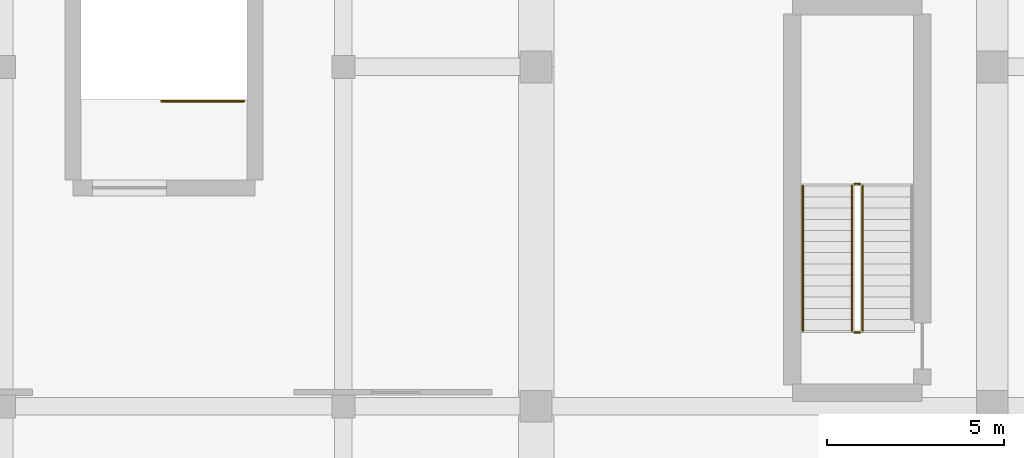
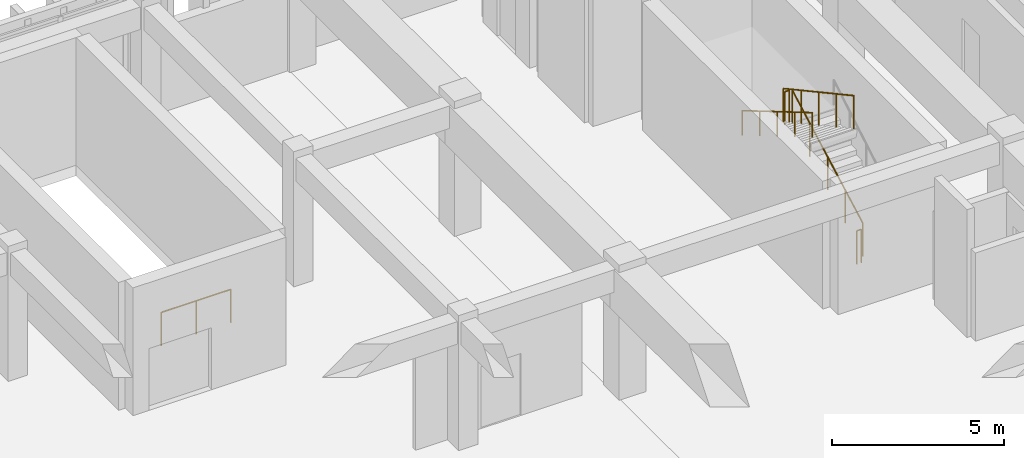
# One storey, part 98 of 101: 6 railings.
"""IFC4 building model written with IfcOpenShell, lengths in metres."""

import ifcopenshell
import ifcopenshell.guid

model = None  # the IFC model being written
_history = None  # IfcOwnerHistory: only IFC2X3 demands one
_inside = {}  # id of a spatial element -> (the spatial element, [elements in it])
_under = {}  # id of a project, library or spatial element -> (it, [spatial elements below it])
_declared = {}  # id of a project -> (the project, [libraries it declares])
_typed = {}  # id of a type object -> (the type object, [elements of that type])
_made_of = {}  # id of a material, layer set ... -> (it, [elements and type objects made of it])


def new_model(schema):
    """Start an empty IFC model of exactly this schema.

    Asked for "IFC4X3", IfcOpenShell would pick the latest addendum, in which some entities
    have other attributes; the version numbers below select the first issue.
    IFC2X3 requires an IfcOwnerHistory on every rooted entity: one is made here for all.
    """
    global model, _history
    if schema == "IFC4X3":
        model = ifcopenshell.file(schema_version=(4, 3, 0, 0))
    else:
        model = ifcopenshell.file(schema=schema)
    _inside.clear()
    _under.clear()
    _declared.clear()
    _typed.clear()
    _made_of.clear()
    _history = None
    if model.schema == "IFC2X3":
        org = make("IfcOrganization", Name="unknown")
        user = make(
            "IfcPersonAndOrganization",
            ThePerson=make("IfcPerson", FamilyName="unknown"),
            TheOrganization=org,
        )
        app = make(
            "IfcApplication",
            ApplicationDeveloper=org,
            Version="unknown",
            ApplicationFullName="unknown",
            ApplicationIdentifier="unknown",
        )
        _history = make(
            "IfcOwnerHistory",
            OwningUser=user,
            OwningApplication=app,
            ChangeAction="ADDED",
            CreationDate=0,
        )
    return model


def make(cls, **values):
    """One entity of the class cls with the attributes given. An attribute that is None is left unset."""
    return model.create_entity(
        cls, **{name: value for name, value in values.items() if value is not None}
    )


def rooted(cls, **values):
    """An entity with a GlobalId (a new one), such as an element, a storey or a relation."""
    return make(cls, GlobalId=ifcopenshell.guid.new(), OwnerHistory=_history, **values)


def si_unit(unit_type, name, prefix=None):
    """IfcSIUnit, for example si_unit("LENGTHUNIT", "METRE", prefix="MILLI")."""
    return make("IfcSIUnit", UnitType=unit_type, Prefix=prefix, Name=name)


def assignment(units):
    """IfcUnitAssignment: the units of a project."""
    return None if units is None else make("IfcUnitAssignment", Units=units)


def point(xyz):
    """IfcCartesianPoint."""
    return None if xyz is None else make("IfcCartesianPoint", Coordinates=xyz)


def direction(xyz):
    """IfcDirection."""
    return None if xyz is None else make("IfcDirection", DirectionRatios=xyz)


def frame(location, z_axis=None, x_axis=None):
    """IfcAxis2Placement3D, a coordinate frame: its origin and axes. An axis left out is left unset."""
    return make(
        "IfcAxis2Placement3D",
        Location=point(location),
        Axis=direction(z_axis),
        RefDirection=direction(x_axis),
    )


def frame_2d(location, x_axis=None):
    """IfcAxis2Placement2D, a coordinate frame in the plane: its origin and x axis."""
    return make(
        "IfcAxis2Placement2D", Location=point(location), RefDirection=direction(x_axis)
    )


def origin():
    """The frame at (0, 0, 0) with its axes left unset."""
    return frame((0.0, 0.0, 0.0))


def origin_2d():
    """The frame at (0, 0) in the plane with its x axis left unset."""
    return frame_2d((0.0, 0.0))


def place(relative_to, where):
    """IfcLocalPlacement: puts the frame where relative to a parent placement (None: the world)."""
    return make(
        "IfcLocalPlacement", PlacementRelTo=relative_to, RelativePlacement=where
    )


def context(
    kind, dimensions, precision=None, world=None, true_north=None, identifier=None
):
    """IfcGeometricRepresentationContext, for example the 3D "Model" context."""
    return make(
        "IfcGeometricRepresentationContext",
        ContextIdentifier=identifier,
        ContextType=kind,
        CoordinateSpaceDimension=dimensions,
        Precision=precision,
        WorldCoordinateSystem=world,
        TrueNorth=true_north,
    )


def subcontext(parent, identifier, kind, view, scale=None):
    """IfcGeometricRepresentationSubContext, for example "Body" below "Model"."""
    return make(
        "IfcGeometricRepresentationSubContext",
        ContextIdentifier=identifier,
        ContextType=kind,
        ParentContext=parent,
        TargetScale=scale,
        TargetView=view,
    )


def project(units=None, contexts=None):
    """IfcProject with its units and contexts."""
    return rooted(
        "IfcProject",
        Name="project",
        RepresentationContexts=contexts,
        UnitsInContext=assignment(units),
    )


def spatial(cls, under=None, at=None, **own):
    """A site, building, storey or space (cls), placed at a placement, below another one or the project."""
    s = rooted(cls, ObjectPlacement=at, **own)
    if under is not None:
        _under.setdefault(under.id(), (under, []))[1].append(s)
    return s


def profile(cls, at=None, kind="AREA", **sizes):
    """A parametric profile (cls). Its sizes go by their IFC names, for example OverallWidth=200.0."""
    return make(cls, ProfileType=kind, Position=at, **sizes)


def circle(**sizes):
    """IfcCircleProfileDef."""
    return profile("IfcCircleProfileDef", **sizes)


def extrude(swept, where, along, depth):
    """IfcExtrudedAreaSolid: the profile swept, set in the frame where, extruded along a direction by depth."""
    return make(
        "IfcExtrudedAreaSolid",
        SweptArea=swept,
        Position=where,
        ExtrudedDirection=direction(along),
        Depth=depth,
    )


def shape(context_of_items, identifier, shape_type, items):
    """IfcShapeRepresentation: the items that make up one representation, for example the "Body"."""
    return make(
        "IfcShapeRepresentation",
        ContextOfItems=context_of_items,
        RepresentationIdentifier=identifier,
        RepresentationType=shape_type,
        Items=items,
    )


def material(Name=None, Category=None):
    """IfcMaterial."""
    return make("IfcMaterial", Name=Name, Category=Category)


def made_of(thing, what):
    """Note that an element or type object is made of a material, layer set ...; save() writes the relation."""
    if what is not None:
        _made_of.setdefault(what.id(), (what, []))[1].append(thing)
    return thing


def type_object(cls, material=None, **own):
    """A type object (cls), such as IfcWallType, which elements share."""
    return made_of(rooted(cls, **own), material)


def element(
    cls,
    number,
    at=None,
    inside=None,
    cuts=None,
    type_object=None,
    material=None,
    context=None,
    identifier="Body",
    shape_type=None,
    held_by="IfcProductDefinitionShape",
    body=None,
    shapes=None,
    **own,
):
    """One element of the class cls, such as IfcWall. Its Tag is "e" and its number.

    at: its placement. inside: the storey or other place that contains it. cuts: it is an
    opening in that element (IfcRelVoidsElement). A single representation is given by context,
    identifier, shape_type and body (its items); several are given by shapes. held_by: the class
    of the entity that holds the representations. save() writes the other relations.
    """
    e = rooted(cls, Tag="e%d" % number, ObjectPlacement=at, **own)
    if body is not None:
        shapes = [shape(context, identifier, shape_type, body)]
    if shapes is not None:
        e.Representation = make(held_by, Representations=shapes)
    if inside is not None:
        _inside.setdefault(inside.id(), (inside, []))[1].append(e)
    if cuts is not None:
        rooted(
            "IfcRelVoidsElement", RelatingBuildingElement=cuts, RelatedOpeningElement=e
        )
    if type_object is not None:
        _typed.setdefault(type_object.id(), (type_object, []))[1].append(e)
    return made_of(e, material)


def aggregate(whole, parts):
    """IfcRelAggregates: a whole, such as a stair, and the parts it consists of."""
    return rooted("IfcRelAggregates", RelatingObject=whole, RelatedObjects=parts)


def save(model, path):
    """Write the relations noted so far, then the file.

    IfcRelAggregates (storeys below a building ...), IfcRelContainedInSpatialStructure (elements
    in a storey), IfcRelDefinesByType, IfcRelAssociatesMaterial and IfcRelDeclares: one each for
    every whole, place, type object, material and project.
    """
    for whole, parts in _under.values():
        aggregate(whole, parts)
    for where, things in _inside.values():
        rooted(
            "IfcRelContainedInSpatialStructure",
            RelatedElements=things,
            RelatingStructure=where,
        )
    for kind, things in _typed.values():
        rooted("IfcRelDefinesByType", RelatedObjects=things, RelatingType=kind)
    for what, things in _made_of.values():
        rooted("IfcRelAssociatesMaterial", RelatedObjects=things, RelatingMaterial=what)
    for by, libraries in _declared.values():
        rooted("IfcRelDeclares", RelatingContext=by, RelatedDefinitions=libraries)
    model.write(path)


model = new_model("IFC4")

# Units and contexts
model_context = context("Model", 3, precision=1e-05, world=origin(), true_north=direction((0.0, 1.0)))
body_context = subcontext(model_context, "Body", "Model", "MODEL_VIEW")
ifc_project = project(units=[si_unit("LENGTHUNIT", "METRE"), si_unit("AREAUNIT", "SQUARE_METRE"), si_unit("VOLUMEUNIT", "CUBIC_METRE"), si_unit("PLANEANGLEUNIT", "RADIAN"), si_unit("MASSUNIT", "GRAM", prefix="KILO")], contexts=[model_context])

# Site, building, storey
site_placement = place(None, origin())
site = spatial("IfcSite", under=ifc_project, at=site_placement, CompositionType="ELEMENT")
building_placement = place(site_placement, origin())
building = spatial("IfcBuilding", under=site, at=building_placement, Name="Nakhvara Creek Congress Hotel", CompositionType="ELEMENT")
storey_placement = place(building_placement, frame((0.0, 0.0, 16.199951171875)))
storey = spatial("IfcBuildingStorey", under=building, at=storey_placement, Name="L03", CompositionType="ELEMENT", Elevation=16.199951171875)

# Railings
ifc_material = material(Name="Brushed stainless steel 316L", Category="steel")
railing_type_1 = type_object("IfcRailingType", Name="RL-GUARD-1200", PredefinedType="GUARDRAIL", material=ifc_material)
railing_1_placement = place(storey_placement, frame((158.68505859375, 78.93994140625, 0.17138671875)))
element("IfcRailing", 1, at=railing_1_placement, inside=storey, type_object=railing_type_1, Name="L03 ST01 stair guard 1", PredefinedType="GUARDRAIL", context=body_context, shape_type="SweptSolid", body=[
    extrude(circle(Radius=0.02392578125, at=origin_2d()), frame((0.0, 0.012939453125, 1.182861328125), z_axis=(0.0, 0.878333477893, 0.478048430196), x_axis=(-1.0, 0.0, 0.0)), (0.0, 0.0, 1.0), 4.6328125),
    extrude(circle(Radius=0.02099609375, at=origin_2d()), origin(), (0.0, 0.0, 1.0), 1.1806640625),
    extrude(circle(Radius=0.02099609375, at=origin_2d()), frame((0.0, 1.023681640625, 0.55712890625)), (0.0, 0.0, 1.0), 1.1806640625),
    extrude(circle(Radius=0.02099609375, at=origin_2d()), frame((0.0, 2.04736328125, 1.1142578125)), (0.0, 0.0, 1.0), 1.1806640625),
    extrude(circle(Radius=0.02099609375, at=origin_2d()), frame((0.0, 3.0712890625, 1.671630859375)), (0.0, 0.0, 1.0), 1.1806640625),
    extrude(circle(Radius=0.02099609375, at=origin_2d()), frame((0.0, 4.094970703125, 2.228759765625)), (0.0, 0.0, 1.0), 1.1806640625),
])
railing_2_placement = place(storey_placement, frame((158.610107421875, 83.0849609375, 2.400146484375)))
element("IfcRailing", 2, at=railing_2_placement, inside=storey, type_object=railing_type_1, Name="L03 ST01 stair guard 2", PredefinedType="GUARDRAIL", context=body_context, shape_type="SweptSolid", body=[
    extrude(circle(Radius=0.02392578125, at=origin_2d()), frame((-0.0146484375, 0.0, 1.17578125), z_axis=(-1.0, 0.0, 0.0), x_axis=(0.0, -1.0, 0.0)), (0.0, 0.0, 1.0), 0.120849609375),
    extrude(circle(Radius=0.02099609375, at=origin_2d()), origin(), (0.0, 0.0, 1.0), 1.1806640625),
    extrude(circle(Radius=0.02099609375, at=origin_2d()), frame((-0.150146484375, 0.0, 0.0)), (0.0, 0.0, 1.0), 1.1806640625),
])
railing_3_placement = place(storey_placement, frame((158.385009765625, 83.034912109375, 2.571533203125)))
element("IfcRailing", 3, at=railing_3_placement, inside=storey, type_object=railing_type_1, Name="L03 ST01 stair guard 3", PredefinedType="GUARDRAIL", context=body_context, shape_type="SweptSolid", body=[
    extrude(circle(Radius=0.02392578125, at=origin_2d()), frame((0.0, -0.012939453125, 1.182861328125), z_axis=(0.0, -0.878355465225, 0.478008029963), x_axis=(1.0, 0.0, 0.0)), (0.0, 0.0, 1.0), 4.6328125),
    extrude(circle(Radius=0.02099609375, at=origin_2d()), origin(), (0.0, 0.0, 1.0), 1.1806640625),
    extrude(circle(Radius=0.02099609375, at=origin_2d()), frame((0.0, -1.023681640625, 0.55712890625)), (0.0, 0.0, 1.0), 1.1806640625),
    extrude(circle(Radius=0.02099609375, at=origin_2d()), frame((0.0, -2.04736328125, 1.1142578125)), (0.0, 0.0, 1.0), 1.1806640625),
    extrude(circle(Radius=0.02099609375, at=origin_2d()), frame((0.0, -3.0712890625, 1.67138671875)), (0.0, 0.0, 1.0), 1.1806640625),
    extrude(circle(Radius=0.02099609375, at=origin_2d()), frame((0.0, -4.094970703125, 2.228515625)), (0.0, 0.0, 1.0), 1.1806640625),
])
railing_4_placement = place(storey_placement, frame((158.610107421875, 78.889892578125, 0.0)))
element("IfcRailing", 4, at=railing_4_placement, inside=storey, type_object=railing_type_1, Name="L03 ST01 stair guard 4", PredefinedType="GUARDRAIL", context=body_context, shape_type="SweptSolid", body=[
    extrude(circle(Radius=0.02392578125, at=origin_2d()), frame((-0.0146484375, 0.0, 1.17578125), z_axis=(-1.0, 0.0, 0.0), x_axis=(0.0, -1.0, 0.0)), (0.0, 0.0, 1.0), 0.120849609375),
    extrude(circle(Radius=0.02099609375, at=origin_2d()), origin(), (0.0, 0.0, 1.0), 1.1806640625),
    extrude(circle(Radius=0.02099609375, at=origin_2d()), frame((-0.150146484375, 0.0, 0.0)), (0.0, 0.0, 1.0), 1.1806640625),
])
railing_5_placement = place(storey_placement, frame((141.18994140625, 85.429931640625, 0.0)))
element("IfcRailing", 5, at=railing_5_placement, inside=storey, type_object=railing_type_1, Name="L03 ST10 top well guard 1", PredefinedType="GUARDRAIL", context=body_context, shape_type="SweptSolid", body=[
    extrude(circle(Radius=0.02392578125, at=origin_2d()), frame((-0.0146484375, 0.0, 1.17578125), z_axis=(-1.0, 0.0, 0.0), x_axis=(0.0, -1.0, 0.0)), (0.0, 0.0, 1.0), 2.310546875),
    extrude(circle(Radius=0.02099609375, at=origin_2d()), origin(), (0.0, 0.0, 1.0), 1.1806640625),
    extrude(circle(Radius=0.02099609375, at=origin_2d()), frame((-1.169921875, 0.0, 0.0)), (0.0, 0.0, 1.0), 1.1806640625),
    extrude(circle(Radius=0.02099609375, at=origin_2d()), frame((-2.33984375, 0.0, 0.0)), (0.0, 0.0, 1.0), 1.1806640625),
])
railing_type_2 = type_object("IfcRailingType", Name="RL-HAND-900", PredefinedType="HANDRAIL", material=ifc_material)
railing_6_placement = place(storey_placement, frame((156.9951171875, 83.034912109375, 2.571533203125)))
element("IfcRailing", 6, at=railing_6_placement, inside=storey, type_object=railing_type_2, Name="L03 ST01 stair handrail 2", PredefinedType="HANDRAIL", context=body_context, shape_type="SweptSolid", body=[
    extrude(circle(Radius=0.02392578125, at=origin_2d()), frame((0.0, -0.0126953125, 0.88330078125), z_axis=(0.0, -0.861742646415, 0.507345652736), x_axis=(1.0, 0.0, 0.0)), (0.0, 0.0, 1.0), 4.72265625),
    extrude(circle(Radius=0.02099609375, at=origin_2d()), origin(), (0.0, 0.0, 1.0), 0.880615234375),
    extrude(circle(Radius=0.02099609375, at=origin_2d()), frame((0.0, -1.023681640625, 0.602783203125)), (0.0, 0.0, 1.0), 0.880615234375),
    extrude(circle(Radius=0.02099609375, at=origin_2d()), frame((0.0, -2.04736328125, 1.20556640625)), (0.0, 0.0, 1.0), 0.880615234375),
    extrude(circle(Radius=0.02099609375, at=origin_2d()), frame((0.0, -3.0712890625, 1.80810546875)), (0.0, 0.0, 1.0), 0.880615234375),
    extrude(circle(Radius=0.02099609375, at=origin_2d()), frame((0.0, -4.094970703125, 2.410888671875)), (0.0, 0.0, 1.0), 0.880615234375),
])

save(model, "model.ifc")
